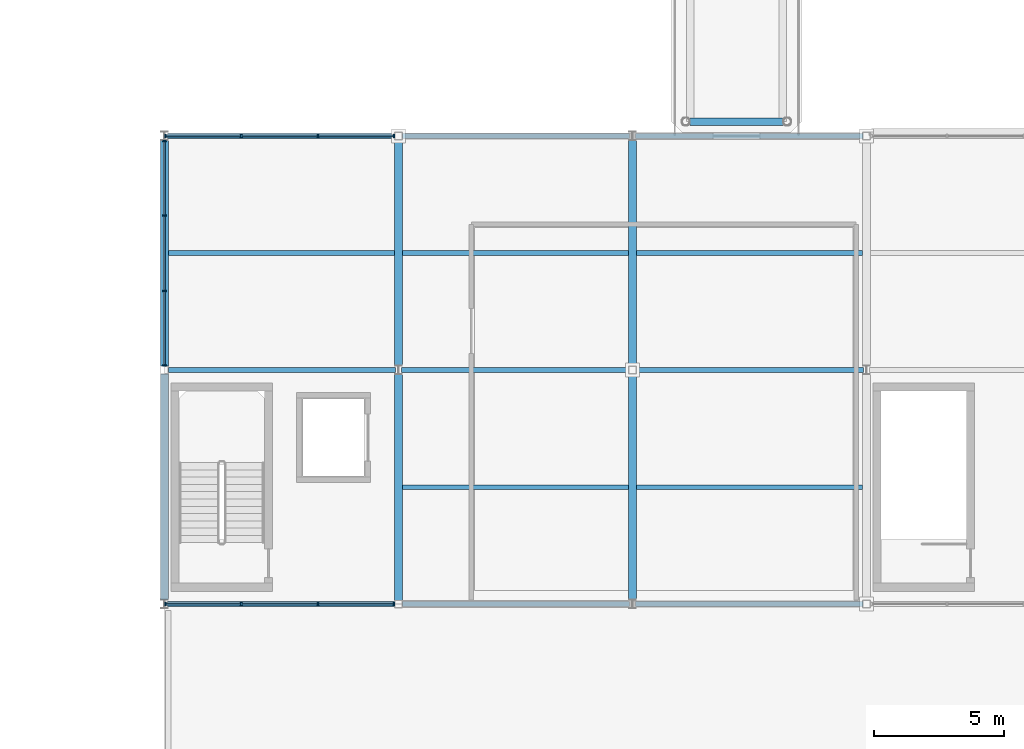
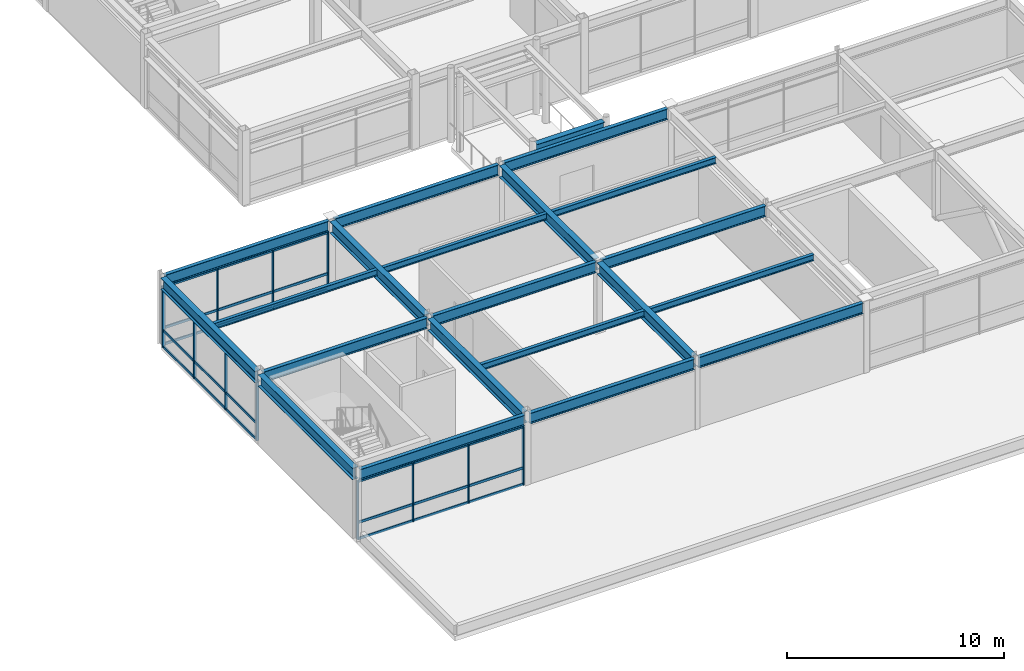
# One storey, part 33 of 70: 39 members, 21 beams, 3 elements without a shape of their own.
"""IFC4 building model written with IfcOpenShell, lengths in metres."""

from ifc_helpers import new_model, si_unit, direction, frame, origin, origin_2d, place, context, subcontext, project, spatial, rectangle, i_section, extrude, material, material_profile, profile_set, type_object, element, aggregate, save


model = new_model("IFC4")

# Units and contexts
model_context = context("Model", 3, precision=1e-05, world=origin(), true_north=direction((0.0, 1.0)))
body_context = subcontext(model_context, "Body", "Model", "MODEL_VIEW")
ifc_project = project(units=[si_unit("LENGTHUNIT", "METRE"), si_unit("AREAUNIT", "SQUARE_METRE"), si_unit("VOLUMEUNIT", "CUBIC_METRE"), si_unit("PLANEANGLEUNIT", "RADIAN"), si_unit("MASSUNIT", "GRAM", prefix="KILO")], contexts=[model_context])

# Site, building, storey
site_placement = place(None, origin())
site = spatial("IfcSite", under=ifc_project, at=site_placement, CompositionType="ELEMENT")
building_placement = place(site_placement, origin())
building = spatial("IfcBuilding", under=site, at=building_placement, Name="Suzunagisa Mobility Hub", CompositionType="ELEMENT")
storey_placement = place(building_placement, frame((0.0, 0.0, 13.5)))
storey = spatial("IfcBuildingStorey", under=building, at=storey_placement, Name="L03", CompositionType="ELEMENT", Elevation=13.5)

# Curtain wall, members
ifc_material_1 = material(Name="Thermally Broken Anodized Aluminum and Low-E Glazing", Category="aluminium")
curtain_wall_type = type_object("IfcCurtainWallType", Name="Unitised Curtain Wall CW-12 8750x3300", PredefinedType="USERDEFINED", material=ifc_material_1)
curtain_wall_1_placement = place(storey_placement, origin())
curtain_wall_1 = element("IfcCurtainWall", 1, at=curtain_wall_1_placement, inside=storey, type_object=curtain_wall_type, Name="L03 Unitised Curtain Wall CW-163", ObjectType="UNITISED CURTAIN WALL", PredefinedType="USERDEFINED")
ifc_material_2 = material(Name="Anodized Aluminum 6063-T6", Category="aluminium")
ifc_material_profile_1 = material_profile(ifc_material_2, rectangle(XDim=0.06494140625, YDim=0.139892578125, at=origin_2d()), Name="TRAN-65x140")
ifc_profile_set_1 = profile_set([ifc_material_profile_1], Name="Anodized Aluminum 6063-T6")
member_type_1 = type_object("IfcMemberType", Name="Curtain Wall Framing CM-01 TRAN-65x140", PredefinedType="USERDEFINED", material=ifc_profile_set_1)
member_1_placement = place(storey_placement, frame((135.0625, 18.0, 0.032470703125), z_axis=(1.0, 0.0, 0.0), x_axis=(0.0, 1.0, 0.0)))
member_1 = element("IfcMember", 2, at=member_1_placement, type_object=member_type_1, Name="Curtain Wall Transom 163-T1.1", ObjectType="TRANSOM", PredefinedType="USERDEFINED", context=body_context, shape_type="SweptSolid", body=[
    extrude(rectangle(XDim=0.06494140625, YDim=0.139892578125, at=origin_2d()), origin(), (0.0, 0.0, 1.0), 2.862548828125),
])
member_2_placement = place(storey_placement, frame((135.0625, 18.0, 0.949951171875), z_axis=(1.0, 0.0, 0.0), x_axis=(0.0, 1.0, 0.0)))
member_2 = element("IfcMember", 3, at=member_2_placement, type_object=member_type_1, Name="Curtain Wall Transom 163-T1.2", ObjectType="TRANSOM", PredefinedType="USERDEFINED", context=body_context, shape_type="SweptSolid", body=[
    extrude(rectangle(XDim=0.06494140625, YDim=0.139892578125, at=origin_2d()), origin(), (0.0, 0.0, 1.0), 2.862548828125),
])
member_3_placement = place(storey_placement, frame((135.0625, 18.0, 3.257568359375), z_axis=(1.0, 0.0, 0.0), x_axis=(0.0, 1.0, 0.0)))
member_3 = element("IfcMember", 4, at=member_3_placement, type_object=member_type_1, Name="Curtain Wall Transom 163-T1.3", ObjectType="TRANSOM", PredefinedType="USERDEFINED", context=body_context, shape_type="SweptSolid", body=[
    extrude(rectangle(XDim=0.06494140625, YDim=0.139892578125, at=origin_2d()), origin(), (0.0, 0.0, 1.0), 2.862548828125),
])
member_4_placement = place(storey_placement, frame((137.98095703125, 18.0, 0.032470703125), z_axis=(1.0, 0.0, 0.0), x_axis=(0.0, 1.0, 0.0)))
member_4 = element("IfcMember", 5, at=member_4_placement, type_object=member_type_1, Name="Curtain Wall Transom 163-T2.1", ObjectType="TRANSOM", PredefinedType="USERDEFINED", context=body_context, shape_type="SweptSolid", body=[
    extrude(rectangle(XDim=0.06494140625, YDim=0.139892578125, at=origin_2d()), origin(), (0.0, 0.0, 1.0), 2.892578125),
])
member_5_placement = place(storey_placement, frame((137.98095703125, 18.0, 0.949951171875), z_axis=(1.0, 0.0, 0.0), x_axis=(0.0, 1.0, 0.0)))
member_5 = element("IfcMember", 6, at=member_5_placement, type_object=member_type_1, Name="Curtain Wall Transom 163-T2.2", ObjectType="TRANSOM", PredefinedType="USERDEFINED", context=body_context, shape_type="SweptSolid", body=[
    extrude(rectangle(XDim=0.06494140625, YDim=0.139892578125, at=origin_2d()), origin(), (0.0, 0.0, 1.0), 2.892578125),
])
member_6_placement = place(storey_placement, frame((137.98095703125, 18.0, 3.257568359375), z_axis=(1.0, 0.0, 0.0), x_axis=(0.0, 1.0, 0.0)))
member_6 = element("IfcMember", 7, at=member_6_placement, type_object=member_type_1, Name="Curtain Wall Transom 163-T2.3", ObjectType="TRANSOM", PredefinedType="USERDEFINED", context=body_context, shape_type="SweptSolid", body=[
    extrude(rectangle(XDim=0.06494140625, YDim=0.139892578125, at=origin_2d()), origin(), (0.0, 0.0, 1.0), 2.892578125),
])
member_7_placement = place(storey_placement, frame((140.929443359375, 18.0, 0.032470703125), z_axis=(1.0, 0.0, 0.0), x_axis=(0.0, 1.0, 0.0)))
member_7 = element("IfcMember", 8, at=member_7_placement, type_object=member_type_1, Name="Curtain Wall Transom 163-T3.1", ObjectType="TRANSOM", PredefinedType="USERDEFINED", context=body_context, shape_type="SweptSolid", body=[
    extrude(rectangle(XDim=0.06494140625, YDim=0.139892578125, at=origin_2d()), origin(), (0.0, 0.0, 1.0), 2.862548828125),
])
member_8_placement = place(storey_placement, frame((140.929443359375, 18.0, 0.949951171875), z_axis=(1.0, 0.0, 0.0), x_axis=(0.0, 1.0, 0.0)))
member_8 = element("IfcMember", 9, at=member_8_placement, type_object=member_type_1, Name="Curtain Wall Transom 163-T3.2", ObjectType="TRANSOM", PredefinedType="USERDEFINED", context=body_context, shape_type="SweptSolid", body=[
    extrude(rectangle(XDim=0.06494140625, YDim=0.139892578125, at=origin_2d()), origin(), (0.0, 0.0, 1.0), 2.862548828125),
])
member_9_placement = place(storey_placement, frame((140.929443359375, 18.0, 3.257568359375), z_axis=(1.0, 0.0, 0.0), x_axis=(0.0, 1.0, 0.0)))
member_9 = element("IfcMember", 10, at=member_9_placement, type_object=member_type_1, Name="Curtain Wall Transom 163-T3.3", ObjectType="TRANSOM", PredefinedType="USERDEFINED", context=body_context, shape_type="SweptSolid", body=[
    extrude(rectangle(XDim=0.06494140625, YDim=0.139892578125, at=origin_2d()), origin(), (0.0, 0.0, 1.0), 2.862548828125),
])

curtain_wall_2_placement = place(storey_placement, origin())
curtain_wall_2 = element("IfcCurtainWall", 11, at=curtain_wall_2_placement, inside=storey, type_object=curtain_wall_type, Name="L03 Unitised Curtain Wall CW-169", ObjectType="UNITISED CURTAIN WALL", PredefinedType="USERDEFINED")
member_10_placement = place(storey_placement, frame((143.7919921875, 36.0, 0.032470703125), z_axis=(-1.0, 0.0, 0.0), x_axis=(0.0, -1.0, 0.0)))
member_10 = element("IfcMember", 12, at=member_10_placement, type_object=member_type_1, Name="Curtain Wall Transom 169-T1.1", ObjectType="TRANSOM", PredefinedType="USERDEFINED", context=body_context, shape_type="SweptSolid", body=[
    extrude(rectangle(XDim=0.06494140625, YDim=0.139892578125, at=origin_2d()), origin(), (0.0, 0.0, 1.0), 2.862548828125),
])
member_11_placement = place(storey_placement, frame((143.7919921875, 36.0, 0.949951171875), z_axis=(-1.0, 0.0, 0.0), x_axis=(0.0, -1.0, 0.0)))
member_11 = element("IfcMember", 13, at=member_11_placement, type_object=member_type_1, Name="Curtain Wall Transom 169-T1.2", ObjectType="TRANSOM", PredefinedType="USERDEFINED", context=body_context, shape_type="SweptSolid", body=[
    extrude(rectangle(XDim=0.06494140625, YDim=0.139892578125, at=origin_2d()), origin(), (0.0, 0.0, 1.0), 2.862548828125),
])
member_12_placement = place(storey_placement, frame((143.7919921875, 36.0, 3.257568359375), z_axis=(-1.0, 0.0, 0.0), x_axis=(0.0, -1.0, 0.0)))
member_12 = element("IfcMember", 14, at=member_12_placement, type_object=member_type_1, Name="Curtain Wall Transom 169-T1.3", ObjectType="TRANSOM", PredefinedType="USERDEFINED", context=body_context, shape_type="SweptSolid", body=[
    extrude(rectangle(XDim=0.06494140625, YDim=0.139892578125, at=origin_2d()), origin(), (0.0, 0.0, 1.0), 2.862548828125),
])
member_13_placement = place(storey_placement, frame((140.87353515625, 36.0, 0.032470703125), z_axis=(-1.0, 0.0, 0.0), x_axis=(0.0, -1.0, 0.0)))
member_13 = element("IfcMember", 15, at=member_13_placement, type_object=member_type_1, Name="Curtain Wall Transom 169-T2.1", ObjectType="TRANSOM", PredefinedType="USERDEFINED", context=body_context, shape_type="SweptSolid", body=[
    extrude(rectangle(XDim=0.06494140625, YDim=0.139892578125, at=origin_2d()), origin(), (0.0, 0.0, 1.0), 2.892578125),
])
member_14_placement = place(storey_placement, frame((140.87353515625, 36.0, 0.949951171875), z_axis=(-1.0, 0.0, 0.0), x_axis=(0.0, -1.0, 0.0)))
member_14 = element("IfcMember", 16, at=member_14_placement, type_object=member_type_1, Name="Curtain Wall Transom 169-T2.2", ObjectType="TRANSOM", PredefinedType="USERDEFINED", context=body_context, shape_type="SweptSolid", body=[
    extrude(rectangle(XDim=0.06494140625, YDim=0.139892578125, at=origin_2d()), origin(), (0.0, 0.0, 1.0), 2.892578125),
])
member_15_placement = place(storey_placement, frame((140.87353515625, 36.0, 3.257568359375), z_axis=(-1.0, 0.0, 0.0), x_axis=(0.0, -1.0, 0.0)))
member_15 = element("IfcMember", 17, at=member_15_placement, type_object=member_type_1, Name="Curtain Wall Transom 169-T2.3", ObjectType="TRANSOM", PredefinedType="USERDEFINED", context=body_context, shape_type="SweptSolid", body=[
    extrude(rectangle(XDim=0.06494140625, YDim=0.139892578125, at=origin_2d()), origin(), (0.0, 0.0, 1.0), 2.892578125),
])
member_16_placement = place(storey_placement, frame((137.925048828125, 36.0, 0.032470703125), z_axis=(-1.0, 0.0, 0.0), x_axis=(0.0, -1.0, 0.0)))
member_16 = element("IfcMember", 18, at=member_16_placement, type_object=member_type_1, Name="Curtain Wall Transom 169-T3.1", ObjectType="TRANSOM", PredefinedType="USERDEFINED", context=body_context, shape_type="SweptSolid", body=[
    extrude(rectangle(XDim=0.06494140625, YDim=0.139892578125, at=origin_2d()), origin(), (0.0, 0.0, 1.0), 2.862548828125),
])
member_17_placement = place(storey_placement, frame((137.925048828125, 36.0, 0.949951171875), z_axis=(-1.0, 0.0, 0.0), x_axis=(0.0, -1.0, 0.0)))
member_17 = element("IfcMember", 19, at=member_17_placement, type_object=member_type_1, Name="Curtain Wall Transom 169-T3.2", ObjectType="TRANSOM", PredefinedType="USERDEFINED", context=body_context, shape_type="SweptSolid", body=[
    extrude(rectangle(XDim=0.06494140625, YDim=0.139892578125, at=origin_2d()), origin(), (0.0, 0.0, 1.0), 2.862548828125),
])
member_18_placement = place(storey_placement, frame((137.925048828125, 36.0, 3.257568359375), z_axis=(-1.0, 0.0, 0.0), x_axis=(0.0, -1.0, 0.0)))
member_18 = element("IfcMember", 20, at=member_18_placement, type_object=member_type_1, Name="Curtain Wall Transom 169-T3.3", ObjectType="TRANSOM", PredefinedType="USERDEFINED", context=body_context, shape_type="SweptSolid", body=[
    extrude(rectangle(XDim=0.06494140625, YDim=0.139892578125, at=origin_2d()), origin(), (0.0, 0.0, 1.0), 2.862548828125),
])

curtain_wall_3_placement = place(storey_placement, origin())
curtain_wall_3 = element("IfcCurtainWall", 21, at=curtain_wall_3_placement, inside=storey, type_object=curtain_wall_type, Name="L03 Unitised Curtain Wall CW-170", ObjectType="UNITISED CURTAIN WALL", PredefinedType="USERDEFINED")
member_19_placement = place(storey_placement, frame((135.0, 35.77197265625, 0.032470703125), z_axis=(0.0, -1.0, 0.0), x_axis=(1.0, 0.0, 0.0)))
member_19 = element("IfcMember", 22, at=member_19_placement, type_object=member_type_1, Name="Curtain Wall Transom 170-T1.1", ObjectType="TRANSOM", PredefinedType="USERDEFINED", context=body_context, shape_type="SweptSolid", body=[
    extrude(rectangle(XDim=0.06494140625, YDim=0.139892578125, at=origin_2d()), origin(), (0.0, 0.0, 1.0), 2.807373046875),
])
member_20_placement = place(storey_placement, frame((135.0, 35.77197265625, 0.949951171875), z_axis=(0.0, -1.0, 0.0), x_axis=(1.0, 0.0, 0.0)))
member_20 = element("IfcMember", 23, at=member_20_placement, type_object=member_type_1, Name="Curtain Wall Transom 170-T1.2", ObjectType="TRANSOM", PredefinedType="USERDEFINED", context=body_context, shape_type="SweptSolid", body=[
    extrude(rectangle(XDim=0.06494140625, YDim=0.139892578125, at=origin_2d()), origin(), (0.0, 0.0, 1.0), 2.807373046875),
])
member_21_placement = place(storey_placement, frame((135.0, 35.77197265625, 3.257568359375), z_axis=(0.0, -1.0, 0.0), x_axis=(1.0, 0.0, 0.0)))
member_21 = element("IfcMember", 24, at=member_21_placement, type_object=member_type_1, Name="Curtain Wall Transom 170-T1.3", ObjectType="TRANSOM", PredefinedType="USERDEFINED", context=body_context, shape_type="SweptSolid", body=[
    extrude(rectangle(XDim=0.06494140625, YDim=0.139892578125, at=origin_2d()), origin(), (0.0, 0.0, 1.0), 2.807373046875),
])
member_22_placement = place(storey_placement, frame((135.0, 32.90869140625, 0.032470703125), z_axis=(0.0, -1.0, 0.0), x_axis=(1.0, 0.0, 0.0)))
member_22 = element("IfcMember", 25, at=member_22_placement, type_object=member_type_1, Name="Curtain Wall Transom 170-T2.1", ObjectType="TRANSOM", PredefinedType="USERDEFINED", context=body_context, shape_type="SweptSolid", body=[
    extrude(rectangle(XDim=0.06494140625, YDim=0.139892578125, at=origin_2d()), origin(), (0.0, 0.0, 1.0), 2.83740234375),
])
member_23_placement = place(storey_placement, frame((135.0, 32.90869140625, 0.949951171875), z_axis=(0.0, -1.0, 0.0), x_axis=(1.0, 0.0, 0.0)))
member_23 = element("IfcMember", 26, at=member_23_placement, type_object=member_type_1, Name="Curtain Wall Transom 170-T2.2", ObjectType="TRANSOM", PredefinedType="USERDEFINED", context=body_context, shape_type="SweptSolid", body=[
    extrude(rectangle(XDim=0.06494140625, YDim=0.139892578125, at=origin_2d()), origin(), (0.0, 0.0, 1.0), 2.83740234375),
])
member_24_placement = place(storey_placement, frame((135.0, 32.90869140625, 3.257568359375), z_axis=(0.0, -1.0, 0.0), x_axis=(1.0, 0.0, 0.0)))
member_24 = element("IfcMember", 27, at=member_24_placement, type_object=member_type_1, Name="Curtain Wall Transom 170-T2.3", ObjectType="TRANSOM", PredefinedType="USERDEFINED", context=body_context, shape_type="SweptSolid", body=[
    extrude(rectangle(XDim=0.06494140625, YDim=0.139892578125, at=origin_2d()), origin(), (0.0, 0.0, 1.0), 2.83740234375),
])
member_25_placement = place(storey_placement, frame((135.0, 30.015380859375, 0.032470703125), z_axis=(0.0, -1.0, 0.0), x_axis=(1.0, 0.0, 0.0)))
member_25 = element("IfcMember", 28, at=member_25_placement, type_object=member_type_1, Name="Curtain Wall Transom 170-T3.1", ObjectType="TRANSOM", PredefinedType="USERDEFINED", context=body_context, shape_type="SweptSolid", body=[
    extrude(rectangle(XDim=0.06494140625, YDim=0.139892578125, at=origin_2d()), origin(), (0.0, 0.0, 1.0), 2.807373046875),
])
member_26_placement = place(storey_placement, frame((135.0, 30.015380859375, 0.949951171875), z_axis=(0.0, -1.0, 0.0), x_axis=(1.0, 0.0, 0.0)))
member_26 = element("IfcMember", 29, at=member_26_placement, type_object=member_type_1, Name="Curtain Wall Transom 170-T3.2", ObjectType="TRANSOM", PredefinedType="USERDEFINED", context=body_context, shape_type="SweptSolid", body=[
    extrude(rectangle(XDim=0.06494140625, YDim=0.139892578125, at=origin_2d()), origin(), (0.0, 0.0, 1.0), 2.807373046875),
])
member_27_placement = place(storey_placement, frame((135.0, 30.015380859375, 3.257568359375), z_axis=(0.0, -1.0, 0.0), x_axis=(1.0, 0.0, 0.0)))
member_27 = element("IfcMember", 30, at=member_27_placement, type_object=member_type_1, Name="Curtain Wall Transom 170-T3.3", ObjectType="TRANSOM", PredefinedType="USERDEFINED", context=body_context, shape_type="SweptSolid", body=[
    extrude(rectangle(XDim=0.06494140625, YDim=0.139892578125, at=origin_2d()), origin(), (0.0, 0.0, 1.0), 2.807373046875),
])

# Member
ifc_material_profile_2 = material_profile(ifc_material_2, rectangle(XDim=0.06005859375, YDim=0.14990234375, at=origin_2d()), Name="MULL-60x150")
ifc_profile_set_2 = profile_set([ifc_material_profile_2], Name="Anodized Aluminum 6063-T6")
member_type_2 = type_object("IfcMemberType", Name="Curtain Wall Framing CM-03 MULL-60x150", PredefinedType="MULLION", material=ifc_profile_set_2)
member_28_placement = place(storey_placement, frame((135.034423828125, 18.0, 0.0), z_axis=(0.0, 0.0, 1.0), x_axis=(1.0, 0.0, 0.0)))
member_28 = element("IfcMember", 31, at=member_28_placement, type_object=member_type_2, Name="Curtain Wall Mullion 163-M1", PredefinedType="MULLION", context=body_context, shape_type="SweptSolid", body=[
    extrude(rectangle(XDim=0.06005859375, YDim=0.14990234375, at=origin_2d()), origin(), (0.0, 0.0, 1.0), 3.2900390625),
])

member_29_placement = place(storey_placement, frame((137.952880859375, 18.0, 0.0), z_axis=(0.0, 0.0, 1.0), x_axis=(1.0, 0.0, 0.0)))
member_29 = element("IfcMember", 32, at=member_29_placement, type_object=member_type_2, Name="Curtain Wall Mullion 163-M2", PredefinedType="MULLION", context=body_context, shape_type="SweptSolid", body=[
    extrude(rectangle(XDim=0.06005859375, YDim=0.14990234375, at=origin_2d()), origin(), (0.0, 0.0, 1.0), 3.2900390625),
])

member_30_placement = place(storey_placement, frame((140.901611328125, 18.0, 0.0), z_axis=(0.0, 0.0, 1.0), x_axis=(1.0, 0.0, 0.0)))
member_30 = element("IfcMember", 33, at=member_30_placement, type_object=member_type_2, Name="Curtain Wall Mullion 163-M3", PredefinedType="MULLION", context=body_context, shape_type="SweptSolid", body=[
    extrude(rectangle(XDim=0.06005859375, YDim=0.14990234375, at=origin_2d()), origin(), (0.0, 0.0, 1.0), 3.2900390625),
])

member_31_placement = place(storey_placement, frame((143.820068359375, 18.0, 0.0), z_axis=(0.0, 0.0, 1.0), x_axis=(1.0, 0.0, 0.0)))
member_31 = element("IfcMember", 34, at=member_31_placement, type_object=member_type_2, Name="Curtain Wall Mullion 163-M4", PredefinedType="MULLION", context=body_context, shape_type="SweptSolid", body=[
    extrude(rectangle(XDim=0.06005859375, YDim=0.14990234375, at=origin_2d()), origin(), (0.0, 0.0, 1.0), 3.2900390625),
])

aggregate(curtain_wall_1, [member_28, member_29, member_30, member_31, member_1, member_2, member_3, member_4, member_5, member_6, member_7, member_8, member_9])

member_32_placement = place(storey_placement, frame((143.820068359375, 36.0, 0.0), z_axis=(0.0, 0.0, 1.0), x_axis=(-1.0, 0.0, 0.0)))
member_32 = element("IfcMember", 35, at=member_32_placement, type_object=member_type_2, Name="Curtain Wall Mullion 169-M1", PredefinedType="MULLION", context=body_context, shape_type="SweptSolid", body=[
    extrude(rectangle(XDim=0.06005859375, YDim=0.14990234375, at=origin_2d()), origin(), (0.0, 0.0, 1.0), 3.2900390625),
])

member_33_placement = place(storey_placement, frame((140.901611328125, 36.0, 0.0), z_axis=(0.0, 0.0, 1.0), x_axis=(-1.0, 0.0, 0.0)))
member_33 = element("IfcMember", 36, at=member_33_placement, type_object=member_type_2, Name="Curtain Wall Mullion 169-M2", PredefinedType="MULLION", context=body_context, shape_type="SweptSolid", body=[
    extrude(rectangle(XDim=0.06005859375, YDim=0.14990234375, at=origin_2d()), origin(), (0.0, 0.0, 1.0), 3.2900390625),
])

member_34_placement = place(storey_placement, frame((137.952880859375, 36.0, 0.0), z_axis=(0.0, 0.0, 1.0), x_axis=(-1.0, 0.0, 0.0)))
member_34 = element("IfcMember", 37, at=member_34_placement, type_object=member_type_2, Name="Curtain Wall Mullion 169-M3", PredefinedType="MULLION", context=body_context, shape_type="SweptSolid", body=[
    extrude(rectangle(XDim=0.06005859375, YDim=0.14990234375, at=origin_2d()), origin(), (0.0, 0.0, 1.0), 3.2900390625),
])

member_35_placement = place(storey_placement, frame((135.034423828125, 36.0, 0.0), z_axis=(0.0, 0.0, 1.0), x_axis=(-1.0, 0.0, 0.0)))
member_35 = element("IfcMember", 38, at=member_35_placement, type_object=member_type_2, Name="Curtain Wall Mullion 169-M4", PredefinedType="MULLION", context=body_context, shape_type="SweptSolid", body=[
    extrude(rectangle(XDim=0.06005859375, YDim=0.14990234375, at=origin_2d()), origin(), (0.0, 0.0, 1.0), 3.2900390625),
])

aggregate(curtain_wall_2, [member_32, member_33, member_34, member_35, member_10, member_11, member_12, member_13, member_14, member_15, member_16, member_17, member_18])

member_36_placement = place(storey_placement, frame((135.0, 35.800048828125, 0.0), z_axis=(0.0, 0.0, 1.0), x_axis=(0.0, -1.0, 0.0)))
member_36 = element("IfcMember", 39, at=member_36_placement, type_object=member_type_2, Name="Curtain Wall Mullion 170-M1", PredefinedType="MULLION", context=body_context, shape_type="SweptSolid", body=[
    extrude(rectangle(XDim=0.06005859375, YDim=0.14990234375, at=origin_2d()), origin(), (0.0, 0.0, 1.0), 3.2900390625),
])

member_37_placement = place(storey_placement, frame((135.0, 32.936767578125, 0.0), z_axis=(0.0, 0.0, 1.0), x_axis=(0.0, -1.0, 0.0)))
member_37 = element("IfcMember", 40, at=member_37_placement, type_object=member_type_2, Name="Curtain Wall Mullion 170-M2", PredefinedType="MULLION", context=body_context, shape_type="SweptSolid", body=[
    extrude(rectangle(XDim=0.06005859375, YDim=0.14990234375, at=origin_2d()), origin(), (0.0, 0.0, 1.0), 3.2900390625),
])

member_38_placement = place(storey_placement, frame((135.0, 30.043212890625, 0.0), z_axis=(0.0, 0.0, 1.0), x_axis=(0.0, -1.0, 0.0)))
member_38 = element("IfcMember", 41, at=member_38_placement, type_object=member_type_2, Name="Curtain Wall Mullion 170-M3", PredefinedType="MULLION", context=body_context, shape_type="SweptSolid", body=[
    extrude(rectangle(XDim=0.06005859375, YDim=0.14990234375, at=origin_2d()), origin(), (0.0, 0.0, 1.0), 3.2900390625),
])

member_39_placement = place(storey_placement, frame((135.0, 27.179931640625, 0.0), z_axis=(0.0, 0.0, 1.0), x_axis=(0.0, -1.0, 0.0)))
member_39 = element("IfcMember", 42, at=member_39_placement, type_object=member_type_2, Name="Curtain Wall Mullion 170-M4", PredefinedType="MULLION", context=body_context, shape_type="SweptSolid", body=[
    extrude(rectangle(XDim=0.06005859375, YDim=0.14990234375, at=origin_2d()), origin(), (0.0, 0.0, 1.0), 3.2900390625),
])

aggregate(curtain_wall_3, [member_36, member_37, member_38, member_39, member_19, member_20, member_21, member_22, member_23, member_24, member_25, member_26, member_27])

# Beams
ifc_material_3 = material(Name="Steel SN400B", Category="steel")
ifc_material_profile_3 = material_profile(ifc_material_3, i_section(OverallWidth=0.175048828125, OverallDepth=0.35009765625, WebThickness=0.007080078125, FlangeThickness=0.010986328125, FilletRadius=0.008056640625, at=origin_2d()), Name="H-350x175x7x11")
ifc_profile_set_3 = profile_set([ifc_material_profile_3], Name="Steel SN400B")
beam_type_1 = type_object("IfcBeamType", Name="Steel Beam BM-03 H-350x175x7x11", PredefinedType="JOIST", material=ifc_profile_set_3)
for number, where, z_axis, x_axis, name in (
    (43, (135.14990234375, 31.5, 3.764892578125), (1.0, 0.0, 0.0), (0.0, 1.0, 0.0), "L03 Composite Floor Joist J-1610"),
    (44, (144.14990234375, 22.5, 3.764892578125), (1.0, 0.0, 0.0), (0.0, 1.0, 0.0), "L03 Composite Floor Joist J-1611"),
    (45, (144.14990234375, 31.5, 3.764892578125), (1.0, 0.0, 0.0), (0.0, 1.0, 0.0), "L03 Composite Floor Joist J-1612"),
    (46, (153.14990234375, 22.5, 3.764892578125), (1.0, 0.0, 0.0), (0.0, 1.0, 0.0), "L03 Composite Floor Joist J-1613"),
    (47, (153.14990234375, 31.5, 3.764892578125), (1.0, 0.0, 0.0), (0.0, 1.0, 0.0), "L03 Composite Floor Joist J-1614"),
):
    element("IfcBeam", number, at=place(storey_placement, frame(where, z_axis=z_axis, x_axis=x_axis)), inside=storey, type_object=beam_type_1, Name=name, PredefinedType="JOIST", context=body_context, shape_type="SweptSolid", body=[
        extrude(i_section(OverallWidth=0.175048828125, OverallDepth=0.35009765625, WebThickness=0.007080078125, FlangeThickness=0.010986328125, FilletRadius=0.008056640625, at=origin_2d()), origin(), (0.0, 0.0, 1.0), 8.7001953125),
    ])
ifc_material_4 = material(Name="Steel SN490B", Category="steel")
ifc_material_profile_4 = material_profile(ifc_material_4, i_section(OverallWidth=0.300048828125, OverallDepth=0.488037109375, WebThickness=0.010986328125, FlangeThickness=0.01806640625, FilletRadius=0.012939453125, at=origin_2d()), Name="H-488x300x11x18")
ifc_profile_set_4 = profile_set([ifc_material_profile_4], Name="Steel SN490B")
beam_type_2 = type_object("IfcBeamType", Name="Steel Beam BM-06 H-488x300x11x18", PredefinedType="BEAM", material=ifc_profile_set_4)
beam_placement = place(storey_placement, frame((155.2099609375, 36.550048828125, 3.716064453125), z_axis=(1.0, 0.0, 0.0), x_axis=(0.0, 1.0, 0.0)))
element("IfcBeam", 48, at=beam_placement, inside=storey, type_object=beam_type_2, Name="L04 Skybridge Fixed Crosshead SB-06", PredefinedType="BEAM", context=body_context, shape_type="SweptSolid", body=[
    extrude(i_section(OverallWidth=0.300048828125, OverallDepth=0.488037109375, WebThickness=0.010986328125, FlangeThickness=0.01806640625, FilletRadius=0.012939453125, at=origin_2d()), origin(), (0.0, 0.0, 1.0), 3.580078125),
])
ifc_material_profile_5 = material_profile(ifc_material_4, i_section(OverallWidth=0.199951171875, OverallDepth=0.60009765625, WebThickness=0.010986328125, FlangeThickness=0.01708984375, FilletRadius=0.012939453125, at=origin_2d()), Name="H-600x200x11x17")
ifc_profile_set_5 = profile_set([ifc_material_profile_5], Name="Steel SN490B")
beam_type_3 = type_object("IfcBeamType", Name="Steel Beam BM-07 H-600x200x11x17", PredefinedType="BEAM", material=ifc_profile_set_5)
for number, where, z_axis, x_axis, name in (
    (49, (135.12109375, 18.0, 3.639892578125), (1.0, 0.0, 0.0), (0.0, 1.0, 0.0), "L03 Primary Girder GX-1584"),
    (50, (144.14599609375, 18.0, 3.639892578125), (1.0, 0.0, 0.0), (0.0, 1.0, 0.0), "L03 Primary Girder GX-1585"),
    (51, (153.12109375, 18.0, 3.639892578125), (1.0, 0.0, 0.0), (0.0, 1.0, 0.0), "L03 Primary Girder GX-1586"),
    (52, (135.14599609375, 27.0, 3.639892578125), (1.0, 0.0, 0.0), (0.0, 1.0, 0.0), "L03 Primary Girder GX-1588"),
    (53, (144.12109375, 27.0, 3.639892578125), (1.0, 0.0, 0.0), (0.0, 1.0, 0.0), "L03 Primary Girder GX-1589"),
    (54, (153.14599609375, 27.0, 3.639892578125), (1.0, 0.0, 0.0), (0.0, 1.0, 0.0), "L03 Primary Girder GX-1590"),
    (55, (135.12109375, 36.0, 3.639892578125), (1.0, 0.0, 0.0), (0.0, 1.0, 0.0), "L03 Primary Girder GX-1593"),
    (56, (144.14599609375, 36.0, 3.639892578125), (1.0, 0.0, 0.0), (0.0, 1.0, 0.0), "L03 Primary Girder GX-1594"),
    (57, (153.12109375, 36.0, 3.639892578125), (1.0, 0.0, 0.0), (0.0, 1.0, 0.0), "L03 Primary Girder GX-1595"),
):
    element("IfcBeam", number, at=place(storey_placement, frame(where, z_axis=z_axis, x_axis=x_axis)), inside=storey, type_object=beam_type_3, Name=name, PredefinedType="BEAM", context=body_context, shape_type="SweptSolid", body=[
        extrude(i_section(OverallWidth=0.199951171875, OverallDepth=0.60009765625, WebThickness=0.010986328125, FlangeThickness=0.01708984375, FilletRadius=0.012939453125, at=origin_2d()), origin(), (0.0, 0.0, 1.0), 8.73291015625),
    ])
ifc_material_profile_6 = material_profile(ifc_material_4, i_section(OverallWidth=0.300048828125, OverallDepth=0.64990234375, WebThickness=0.012939453125, FlangeThickness=0.02197265625, FilletRadius=0.01611328125, at=origin_2d()), Name="H-650x300x13x22")
ifc_profile_set_6 = profile_set([ifc_material_profile_6], Name="Steel SN490B")
beam_type_4 = type_object("IfcBeamType", Name="Steel Beam BM-10 H-650x300x13x22", PredefinedType="BEAM", material=ifc_profile_set_6)
for number, where, z_axis, x_axis, name in (
    (58, (135.0, 18.166015625, 3.614990234375), (0.0, 1.0, 0.0), (-1.0, 0.0, 0.0), "L03 Primary Girder GY-1598"),
    (59, (135.0, 27.14599609375, 3.614990234375), (0.0, 1.0, 0.0), (-1.0, 0.0, 0.0), "L03 Primary Girder GY-1599"),
    (60, (144.0, 18.14599609375, 3.614990234375), (0.0, 1.0, 0.0), (-1.0, 0.0, 0.0), "L03 Primary Girder GY-1600"),
    (61, (144.0, 27.166015625, 3.614990234375), (0.0, 1.0, 0.0), (-1.0, 0.0, 0.0), "L03 Primary Girder GY-1601"),
    (62, (153.0, 18.166015625, 3.614990234375), (0.0, 1.0, 0.0), (-1.0, 0.0, 0.0), "L03 Primary Girder GY-1602"),
    (63, (153.0, 27.14599609375, 3.614990234375), (0.0, 1.0, 0.0), (-1.0, 0.0, 0.0), "L03 Primary Girder GY-1603"),
):
    element("IfcBeam", number, at=place(storey_placement, frame(where, z_axis=z_axis, x_axis=x_axis)), inside=storey, type_object=beam_type_4, Name=name, PredefinedType="BEAM", context=body_context, shape_type="SweptSolid", body=[
        extrude(i_section(OverallWidth=0.300048828125, OverallDepth=0.64990234375, WebThickness=0.012939453125, FlangeThickness=0.02197265625, FilletRadius=0.01611328125, at=origin_2d()), origin(), (0.0, 0.0, 1.0), 8.68798828125),
    ])

save(model, "model.ifc")
